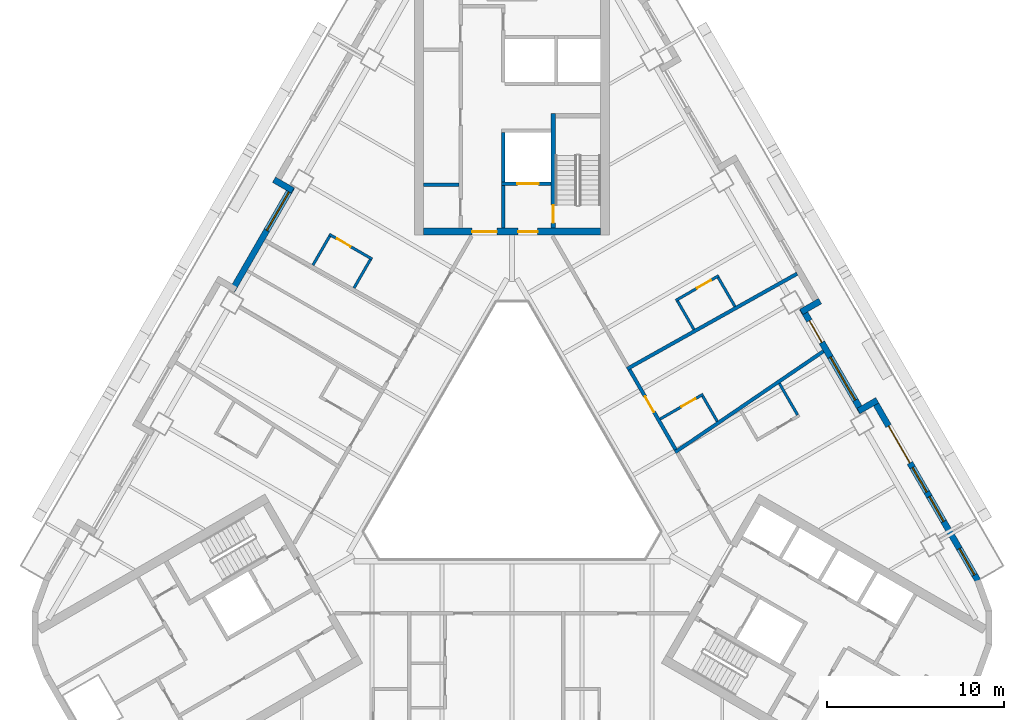
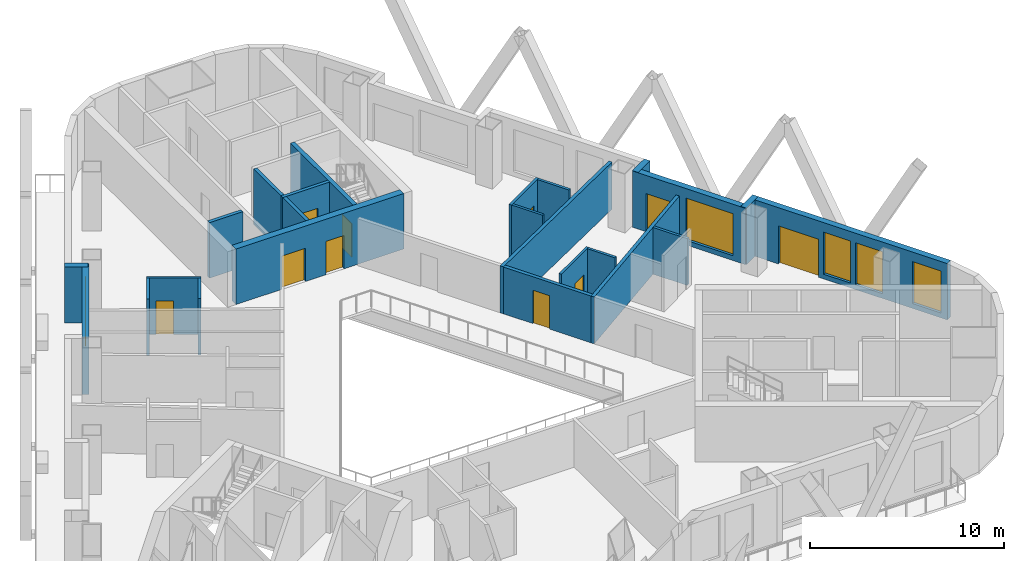
# One storey, part 6 of 14: 24 walls, 10 doors, 5 windows, 15 openings.
"""IFC4 building model written with IfcOpenShell, lengths in metres."""

from ifc_helpers import new_model, si_unit, direction, frame, frame_2d, origin, place, context, subcontext, project, spatial, rectangle, extrude, material, layer, layer_set, type_object, element, fill, save


model = new_model("IFC4")

# Units and contexts
model_context = context("Model", 3, precision=1e-05, world=origin(), true_north=direction((0.0, 1.0)))
body_context = subcontext(model_context, "Body", "Model", "MODEL_VIEW")
ifc_project = project(units=[si_unit("LENGTHUNIT", "METRE"), si_unit("AREAUNIT", "SQUARE_METRE"), si_unit("VOLUMEUNIT", "CUBIC_METRE"), si_unit("PLANEANGLEUNIT", "RADIAN"), si_unit("MASSUNIT", "GRAM", prefix="KILO")], contexts=[model_context])

# Site, building, storey
site_placement = place(None, origin())
site = spatial("IfcSite", under=ifc_project, at=site_placement, CompositionType="ELEMENT")
building_placement = place(site_placement, origin())
building = spatial("IfcBuilding", under=site, at=building_placement, Name="Apuvela Tower Hotel", CompositionType="ELEMENT")
storey_placement = place(building_placement, frame((0.0, 0.0, 53.89990234375)))
storey = spatial("IfcBuildingStorey", under=building, at=storey_placement, Name="L10", CompositionType="ELEMENT", Elevation=53.89990234375)

# Wall, openings, doors
ifc_material_1 = material(Name="Concrete C50/60", Category="concrete")
ifc_layer_1 = layer(ifc_material_1, 0.39990234375)
ifc_layer_set_1 = layer_set([ifc_layer_1], Name="COR-WALL-CORE-400")
wall_type_1 = type_object("IfcWallType", Name="COR-WALL-CORE-400", PredefinedType="SHEAR", material=ifc_layer_set_1)
wall_1_placement = place(storey_placement, frame((5.0, 13.10009765625, 0.0), z_axis=(0.0, 0.0, 1.0), x_axis=(-1.0, 0.0, 0.0)))
wall_1 = element("IfcWall", 1, at=wall_1_placement, inside=storey, type_object=wall_type_1, Name="Core wall N", PredefinedType="SHEAR", context=body_context, shape_type="SweptSolid", body=[
    extrude(rectangle(XDim=10.0, YDim=0.39990234375, at=frame_2d((5.0, 0.0))), origin(), (0.0, 0.0, 1.0), 3.5),
])
opening_1_placement = place(wall_1_placement, frame((3.550048828125, 0.0, 0.0)))
opening_1 = element("IfcOpeningElement", 2, at=opening_1_placement, cuts=wall_1, Name="Opening N-FD", PredefinedType="OPENING", context=body_context, shape_type="SweptSolid", body=[
    extrude(rectangle(XDim=1.10009765625, YDim=2.10009765625, at=frame_2d((0.550048828125, 1.050048828125))), frame((0.0, 0.2099609375, 0.0), z_axis=(0.0, -1.0, 0.0), x_axis=(1.0, 0.0, 0.0)), (0.0, 0.0, 1.0), 0.419921875),
])
opening_2_placement = place(wall_1_placement, frame((5.85009765625, 0.0, 0.0)))
opening_2 = element("IfcOpeningElement", 3, at=opening_2_placement, cuts=wall_1, Name="Opening N-GD", PredefinedType="OPENING", context=body_context, shape_type="SweptSolid", body=[
    extrude(rectangle(XDim=1.39990234375, YDim=2.10009765625, at=frame_2d((0.699951171875, 1.050048828125))), frame((0.0, 0.2099609375, 0.0), z_axis=(0.0, -1.0, 0.0), x_axis=(1.0, 0.0, 0.0)), (0.0, 0.0, 1.0), 0.419921875),
])
ifc_material_2 = material(Name="Steel fire door, powder coated", Category="steel")
door_type_1 = type_object("IfcDoorType", Name="COR-FD-1100", OperationType="NOTDEFINED", PredefinedType="DOOR", material=ifc_material_2)
door_1_placement = place(opening_1_placement, frame((1.10009765625, 0.0, 0.0), z_axis=(0.0, 0.0, 1.0), x_axis=(-1.0, 0.0, 0.0)))
door_1 = element("IfcDoor", 4, at=door_1_placement, inside=storey, type_object=door_type_1, Name="Firefighting lobby door N-FD", OperationType="SINGLE_SWING_LEFT", OverallHeight=2.10009765625, OverallWidth=1.10009765625, PredefinedType="DOOR", context=body_context, shape_type="SweptSolid", body=[
    extrude(rectangle(XDim=1.10009765625, YDim=2.10009765625, at=frame_2d((0.550048828125, 1.050048828125))), frame((0.0, 0.02490234375, 0.0), z_axis=(0.0, -1.0, 0.0), x_axis=(1.0, 0.0, 0.0)), (0.0, 0.0, 1.0), 0.050048828125),
])
fill(opening_1, door_1)
ifc_material_3 = material(Name="Glazed steel fire door", Category="steel")
door_type_2 = type_object("IfcDoorType", Name="COR-GD-1400", OperationType="DOUBLE_DOOR_SINGLE_SWING", PredefinedType="DOOR", material=ifc_material_3)
door_2_placement = place(opening_2_placement, frame((1.39990234375, 0.0, 0.0), z_axis=(0.0, 0.0, 1.0), x_axis=(-1.0, 0.0, 0.0)))
door_2 = element("IfcDoor", 5, at=door_2_placement, inside=storey, type_object=door_type_2, Name="Lift lobby door N-GD", OperationType="DOUBLE_DOOR_SINGLE_SWING", OverallHeight=2.10009765625, OverallWidth=1.39990234375, PredefinedType="DOOR", context=body_context, shape_type="SweptSolid", body=[
    extrude(rectangle(XDim=1.39990234375, YDim=2.10009765625, at=frame_2d((0.699951171875, 1.050048828125))), frame((0.0, 0.02490234375, 0.0), z_axis=(0.0, -1.0, 0.0), x_axis=(1.0, 0.0, 0.0)), (0.0, 0.0, 1.0), 0.050048828125),
])
fill(opening_2, door_2)

# Wall, opening, door
ifc_layer_2 = layer(ifc_material_1, 0.199951171875)
ifc_layer_set_2 = layer_set([ifc_layer_2], Name="COR-WALL-SHAFT-200")
wall_type_2 = type_object("IfcWallType", Name="COR-WALL-SHAFT-200", PredefinedType="SHEAR", material=ifc_layer_set_2)
wall_2_placement = place(storey_placement, frame((2.199951171875, 15.800048828125, 0.0), z_axis=(0.0, 0.0, 1.0), x_axis=(-1.0, 0.0, 0.0)))
wall_2 = element("IfcWall", 6, at=wall_2_placement, inside=storey, type_object=wall_type_2, Name="Shaft wall N", PredefinedType="SHEAR", context=body_context, shape_type="SweptSolid", body=[
    extrude(rectangle(XDim=2.800048828125, YDim=0.199951171875, at=frame_2d((1.39990234375, 0.0))), origin(), (0.0, 0.0, 1.0), 3.5),
])
opening_3_placement = place(wall_2_placement, frame((0.699951171875, 0.0, 0.0)))
opening_3 = element("IfcOpeningElement", 7, at=opening_3_placement, cuts=wall_2, Name="Opening N-LD-FS1", PredefinedType="OPENING", context=body_context, shape_type="SweptSolid", body=[
    extrude(rectangle(XDim=1.199951171875, YDim=2.10009765625, at=frame_2d((0.60009765625, 1.050048828125))), frame((0.0, 0.10986328125, 0.0), z_axis=(0.0, -1.0, 0.0), x_axis=(1.0, 0.0, 0.0)), (0.0, 0.0, 1.0), 0.219970703125),
])
ifc_material_4 = material(Name="Stainless steel lift landing door", Category="steel")
door_type_3 = type_object("IfcDoorType", Name="COR-LD-1200", OperationType="DOUBLE_DOOR_SLIDING", PredefinedType="DOOR", material=ifc_material_4)
door_3_placement = place(opening_3_placement, origin())
door_3 = element("IfcDoor", 8, at=door_3_placement, inside=storey, type_object=door_type_3, Name="Lift landing door N-LD-FS1", OperationType="DOUBLE_DOOR_SLIDING", OverallHeight=2.10009765625, OverallWidth=1.199951171875, PredefinedType="DOOR", context=body_context, shape_type="SweptSolid", body=[
    extrude(rectangle(XDim=1.199951171875, YDim=2.10009765625, at=frame_2d((0.60009765625, 1.050048828125))), frame((0.0, 0.02490234375, 0.0), z_axis=(0.0, -1.0, 0.0), x_axis=(1.0, 0.0, 0.0)), (0.0, 0.0, 1.0), 0.050048828125),
])
fill(opening_3, door_3)

# Walls
wall_3_placement = place(storey_placement, frame((-0.5, 15.89990234375, 0.0), z_axis=(0.0, 0.0, 1.0), x_axis=(0.0, 1.0, 0.0)))
element("IfcWall", 9, at=wall_3_placement, inside=storey, type_object=wall_type_2, Name="Shaft wall N", PredefinedType="SHEAR", context=body_context, shape_type="SweptSolid", body=[
    extrude(rectangle(XDim=2.800048828125, YDim=0.199951171875, at=frame_2d((1.39990234375, 0.0))), origin(), (0.0, 0.0, 1.0), 3.5),
])
wall_4_placement = place(storey_placement, frame((-0.5, 13.300048828125, 0.0), z_axis=(0.0, 0.0, 1.0), x_axis=(0.0, 1.0, 0.0)))
element("IfcWall", 10, at=wall_4_placement, inside=storey, type_object=wall_type_2, Name="Shaft wall N", PredefinedType="SHEAR", context=body_context, shape_type="SweptSolid", body=[
    extrude(rectangle(XDim=2.39990234375, YDim=0.199951171875, at=frame_2d((1.199951171875, 0.0))), origin(), (0.0, 0.0, 1.0), 3.5),
])
wall_5_placement = place(storey_placement, frame((-3.0, 15.739990234375, 0.0), z_axis=(0.0, 0.0, 1.0), x_axis=(-1.0, 0.0, 0.0)))
element("IfcWall", 11, at=wall_5_placement, inside=storey, type_object=wall_type_2, Name="Shaft wall N", PredefinedType="SHEAR", context=body_context, shape_type="SweptSolid", body=[
    extrude(rectangle(XDim=2.0, YDim=0.199951171875, at=frame_2d((1.0, 0.0))), origin(), (0.0, 0.0, 1.0), 3.5),
])

# Wall, opening, door
ifc_layer_3 = layer(ifc_material_1, 0.25)
ifc_layer_set_3 = layer_set([ifc_layer_3], Name="COR-WALL-STAIR-250")
wall_type_3 = type_object("IfcWallType", Name="COR-WALL-STAIR-250", PredefinedType="SHEAR", material=ifc_layer_set_3)
wall_6_placement = place(storey_placement, frame((2.324951171875, 13.300048828125, 0.0), z_axis=(0.0, 0.0, 1.0), x_axis=(0.0, 1.0, 0.0)))
wall_6 = element("IfcWall", 12, at=wall_6_placement, inside=storey, type_object=wall_type_3, Name="Stair wall N", PredefinedType="SHEAR", context=body_context, shape_type="SweptSolid", body=[
    extrude(rectangle(XDim=6.449951171875, YDim=0.25, at=frame_2d((3.22509765625, 0.0))), origin(), (0.0, 0.0, 1.0), 3.5),
])
opening_4_placement = place(wall_6_placement, frame((0.300048828125, 0.0, 0.0)))
opening_4 = element("IfcOpeningElement", 13, at=opening_4_placement, cuts=wall_6, Name="Opening N-SD", PredefinedType="OPENING", context=body_context, shape_type="SweptSolid", body=[
    extrude(rectangle(XDim=1.0, YDim=2.10009765625, at=frame_2d((0.5, 1.050048828125))), frame((0.0, 0.135009765625, 0.0), z_axis=(0.0, -1.0, 0.0), x_axis=(1.0, 0.0, 0.0)), (0.0, 0.0, 1.0), 0.27001953125),
])
door_type_4 = type_object("IfcDoorType", Name="COR-SD-1000", OperationType="NOTDEFINED", PredefinedType="DOOR", material=ifc_material_2)
door_4_placement = place(opening_4_placement, frame((1.0, 0.0, 0.0), z_axis=(0.0, 0.0, 1.0), x_axis=(-1.0, 0.0, 0.0)))
door_4 = element("IfcDoor", 14, at=door_4_placement, inside=storey, type_object=door_type_4, Name="Stair door N-SD", OperationType="SINGLE_SWING_LEFT", OverallHeight=2.10009765625, OverallWidth=1.0, PredefinedType="DOOR", context=body_context, shape_type="SweptSolid", body=[
    extrude(rectangle(XDim=1.0, YDim=2.10009765625, at=frame_2d((0.5, 1.050048828125))), frame((0.0, 0.02490234375, 0.0), z_axis=(0.0, -1.0, 0.0), x_axis=(1.0, 0.0, 0.0)), (0.0, 0.0, 1.0), 0.050048828125),
])
fill(opening_4, door_4)

# Wall
ifc_material_5 = material(Name="Concrete C40/50, dark pigmented precast panel", Category="concrete")
ifc_layer_4 = layer(ifc_material_5, 0.35009765625)
ifc_layer_set_4 = layer_set([ifc_layer_4], Name="ENV-WALL-350")
wall_type_4 = type_object("IfcWallType", Name="ENV-WALL-350", PredefinedType="SOLIDWALL", material=ifc_layer_set_4)
wall_7_placement = place(storey_placement, frame((-13.41259765625, 16.02880859375, 0.0), z_axis=(0.0, 0.0, 1.0), x_axis=(0.866005645448, -0.500034220881, 0.0)))
element("IfcWall", 15, at=wall_7_placement, inside=storey, type_object=wall_type_4, Name="External wall L10-02", PredefinedType="SOLIDWALL", context=body_context, shape_type="SweptSolid", body=[
    extrude(rectangle(XDim=1.22021484375, YDim=0.35009765625, at=frame_2d((0.610107421875, 0.0))), origin(), (0.0, 0.0, 1.0), 3.550048828125),
])

# Wall, opening, window
wall_8_placement = place(storey_placement, frame((-12.408935546875, 15.616943359375, 0.0), z_axis=(0.0, 0.0, 1.0), x_axis=(-0.500003597184, -0.866023326939, 0.0)))
wall_8 = element("IfcWall", 16, at=wall_8_placement, inside=storey, type_object=wall_type_4, Name="External wall L10-03", PredefinedType="SOLIDWALL", context=body_context, shape_type="SweptSolid", body=[
    extrude(rectangle(XDim=6.740234375, YDim=0.35009765625, at=frame_2d((3.3701171875, 0.0))), origin(), (0.0, 0.0, 1.0), 3.550048828125),
])
opening_5_placement = place(wall_8_placement, frame((0.3203125, 0.0, 0.300048828125)))
opening_5 = element("IfcOpeningElement", 17, at=opening_5_placement, cuts=wall_8, Name="Opening WN25", PredefinedType="OPENING", context=body_context, shape_type="SweptSolid", body=[
    extrude(rectangle(XDim=2.5, YDim=2.64990234375, at=frame_2d((1.25, 1.324951171875))), frame((0.0, 0.18505859375, 0.0), z_axis=(0.0, -1.0, 0.0), x_axis=(1.0, 0.0, 0.0)), (0.0, 0.0, 1.0), 0.3701171875),
])
ifc_material_6 = material(Name="Glass, dark tinted laminated insulated glazing unit", Category="glass")
window_type_1 = type_object("IfcWindowType", Name="ENV-WIN-2500x2650", PartitioningType="SINGLE_PANEL", PredefinedType="WINDOW", material=ifc_material_6)
window_1_placement = place(opening_5_placement, origin())
window_1 = element("IfcWindow", 18, at=window_1_placement, inside=storey, type_object=window_type_1, Name="Window WN25", OverallHeight=2.64990234375, OverallWidth=2.5, PartitioningType="SINGLE_PANEL", PredefinedType="WINDOW", context=body_context, shape_type="SweptSolid", body=[
    extrude(rectangle(XDim=2.5, YDim=2.64990234375, at=frame_2d((1.25, 1.324951171875))), frame((0.0, 0.030029296875, 0.0), z_axis=(0.0, -1.0, 0.0), x_axis=(1.0, 0.0, 0.0)), (0.0, 0.0, 1.0), 0.06005859375),
])
fill(opening_5, window_1)

# Wall, openings, door, windows
wall_9_placement = place(storey_placement, frame((26.256591796875, -6.5673828125, 0.0), z_axis=(0.0, 0.0, 1.0), x_axis=(-0.500023526245, 0.866011820475, 0.0)))
wall_9 = element("IfcWall", 19, at=wall_9_placement, inside=storey, type_object=wall_type_4, Name="External wall L10-33", PredefinedType="SOLIDWALL", context=body_context, shape_type="SweptSolid", body=[
    extrude(rectangle(XDim=11.81591796875, YDim=0.35009765625, at=frame_2d((5.907958984375, 0.0))), origin(), (0.0, 0.0, 1.0), 3.550048828125),
])
opening_6_placement = place(wall_9_placement, frame((0.380126953125, 0.0, 0.300048828125)))
opening_6 = element("IfcOpeningElement", 20, at=opening_6_placement, cuts=wall_9, Name="Opening WN17", PredefinedType="OPENING", context=body_context, shape_type="SweptSolid", body=[
    extrude(rectangle(XDim=1.699951171875, YDim=2.64990234375, at=frame_2d((0.85009765625, 1.324951171875))), frame((0.0, 0.18505859375, 0.0), z_axis=(0.0, -1.0, 0.0), x_axis=(1.0, 0.0, 0.0)), (0.0, 0.0, 1.0), 0.3701171875),
])
opening_7_placement = place(wall_9_placement, frame((7.666015625, 0.0, 0.0)))
opening_7 = element("IfcOpeningElement", 21, at=opening_7_placement, cuts=wall_9, Name="Opening BD24", PredefinedType="OPENING", context=body_context, shape_type="SweptSolid", body=[
    extrude(rectangle(XDim=2.39990234375, YDim=2.39990234375, at=frame_2d((1.199951171875, 1.199951171875))), frame((0.0, 0.18505859375, 0.0), z_axis=(0.0, -1.0, 0.0), x_axis=(1.0, 0.0, 0.0)), (0.0, 0.0, 1.0), 0.3701171875),
])
opening_8_placement = place(wall_9_placement, frame((3.865234375, 0.0, 0.300048828125)))
opening_8 = element("IfcOpeningElement", 22, at=opening_8_placement, cuts=wall_9, Name="Opening WN16", PredefinedType="OPENING", context=body_context, shape_type="SweptSolid", body=[
    extrude(rectangle(XDim=1.60009765625, YDim=2.64990234375, at=frame_2d((0.800048828125, 1.324951171875))), frame((0.0, 0.18505859375, 0.0), z_axis=(0.0, -1.0, 0.0), x_axis=(1.0, 0.0, 0.0)), (0.0, 0.0, 1.0), 0.3701171875),
])
opening_9_placement = place(wall_9_placement, frame((5.765380859375, 0.0, 0.300048828125)))
opening_9 = element("IfcOpeningElement", 23, at=opening_9_placement, cuts=wall_9, Name="Opening WN16", PredefinedType="OPENING", context=body_context, shape_type="SweptSolid", body=[
    extrude(rectangle(XDim=1.60009765625, YDim=2.64990234375, at=frame_2d((0.800048828125, 1.324951171875))), frame((0.0, 0.18505859375, 0.0), z_axis=(0.0, -1.0, 0.0), x_axis=(1.0, 0.0, 0.0)), (0.0, 0.0, 1.0), 0.3701171875),
])
ifc_material_7 = material(Name="Aluminium 6063-T6, dark bronze anodised frame with dark tinted laminated glass", Category="aluminium")
door_type_5 = type_object("IfcDoorType", Name="ENV-DOOR-BALCONY-2400x2400", OperationType="SLIDING_TO_LEFT", PredefinedType="DOOR", material=ifc_material_7)
door_5_placement = place(opening_7_placement, frame((2.39990234375, 0.0, 0.0), z_axis=(0.0, 0.0, 1.0), x_axis=(-1.0, 0.0, 0.0)))
door_5 = element("IfcDoor", 24, at=door_5_placement, inside=storey, type_object=door_type_5, Name="Balcony door BD24", OperationType="SLIDING_TO_LEFT", OverallHeight=2.39990234375, OverallWidth=2.39990234375, PredefinedType="DOOR", context=body_context, shape_type="SweptSolid", body=[
    extrude(rectangle(XDim=2.39990234375, YDim=2.39990234375, at=frame_2d((1.199951171875, 1.199951171875))), frame((0.0, 0.02490234375, 0.0), z_axis=(0.0, -1.0, 0.0), x_axis=(1.0, 0.0, 0.0)), (0.0, 0.0, 1.0), 0.050048828125),
])
fill(opening_7, door_5)
window_type_2 = type_object("IfcWindowType", Name="ENV-WIN-1600x2650", PartitioningType="SINGLE_PANEL", PredefinedType="WINDOW", material=ifc_material_6)
window_2_placement = place(opening_8_placement, origin())
window_2 = element("IfcWindow", 25, at=window_2_placement, inside=storey, type_object=window_type_2, Name="Window WN16", OverallHeight=2.64990234375, OverallWidth=1.60009765625, PartitioningType="SINGLE_PANEL", PredefinedType="WINDOW", context=body_context, shape_type="SweptSolid", body=[
    extrude(rectangle(XDim=1.60009765625, YDim=2.64990234375, at=frame_2d((0.800048828125, 1.324951171875))), frame((0.0, 0.030029296875, 0.0), z_axis=(0.0, -1.0, 0.0), x_axis=(1.0, 0.0, 0.0)), (0.0, 0.0, 1.0), 0.06005859375),
])
fill(opening_8, window_2)
window_3_placement = place(opening_9_placement, origin())
window_3 = element("IfcWindow", 26, at=window_3_placement, inside=storey, type_object=window_type_2, Name="Window WN16", OverallHeight=2.64990234375, OverallWidth=1.60009765625, PartitioningType="SINGLE_PANEL", PredefinedType="WINDOW", context=body_context, shape_type="SweptSolid", body=[
    extrude(rectangle(XDim=1.60009765625, YDim=2.64990234375, at=frame_2d((0.800048828125, 1.324951171875))), frame((0.0, 0.030029296875, 0.0), z_axis=(0.0, -1.0, 0.0), x_axis=(1.0, 0.0, 0.0)), (0.0, 0.0, 1.0), 0.06005859375),
])
fill(opening_9, window_3)
window_type_3 = type_object("IfcWindowType", Name="ENV-WIN-1700x2650", PartitioningType="SINGLE_PANEL", PredefinedType="WINDOW", material=ifc_material_6)
window_4_placement = place(opening_6_placement, origin())
window_4 = element("IfcWindow", 27, at=window_4_placement, inside=storey, type_object=window_type_3, Name="Window WN17", OverallHeight=2.64990234375, OverallWidth=1.699951171875, PartitioningType="SINGLE_PANEL", PredefinedType="WINDOW", context=body_context, shape_type="SweptSolid", body=[
    extrude(rectangle(XDim=1.699951171875, YDim=2.64990234375, at=frame_2d((0.85009765625, 1.324951171875))), frame((0.0, 0.030029296875, 0.0), z_axis=(0.0, -1.0, 0.0), x_axis=(1.0, 0.0, 0.0)), (0.0, 0.0, 1.0), 0.06005859375),
])
fill(opening_6, window_4)

# Wall
wall_10_placement = place(storey_placement, frame((20.587646484375, 3.601318359375, 0.0), z_axis=(0.0, 0.0, 1.0), x_axis=(-0.866005645448, -0.500034220881, 0.0)))
element("IfcWall", 28, at=wall_10_placement, inside=storey, type_object=wall_type_4, Name="External wall L10-34", PredefinedType="SOLIDWALL", context=body_context, shape_type="SweptSolid", body=[
    extrude(rectangle(XDim=1.22021484375, YDim=0.35009765625, at=frame_2d((0.610107421875, 0.0))), origin(), (0.0, 0.0, 1.0), 3.550048828125),
])

# Wall, openings, door, window
wall_11_placement = place(storey_placement, frame((19.72900390625, 2.93798828125, 0.0), z_axis=(0.0, 0.0, 1.0), x_axis=(-0.499976430342, 0.866039011305, 0.0)))
wall_11 = element("IfcWall", 29, at=wall_11_placement, inside=storey, type_object=wall_type_4, Name="External wall L10-35", PredefinedType="SOLIDWALL", context=body_context, shape_type="SweptSolid", body=[
    extrude(rectangle(XDim=6.739990234375, YDim=0.35009765625, at=frame_2d((3.3701171875, 0.0))), origin(), (0.0, 0.0, 1.0), 3.550048828125),
])
opening_10_placement = place(wall_11_placement, frame((0.77001953125, 0.0, 0.300048828125)))
opening_10 = element("IfcOpeningElement", 30, at=opening_10_placement, cuts=wall_11, Name="Opening WN28", PredefinedType="OPENING", context=body_context, shape_type="SweptSolid", body=[
    extrude(rectangle(XDim=2.800048828125, YDim=2.64990234375, at=frame_2d((1.39990234375, 1.324951171875))), frame((0.0, 0.18505859375, 0.0), z_axis=(0.0, -1.0, 0.0), x_axis=(1.0, 0.0, 0.0)), (0.0, 0.0, 1.0), 0.3701171875),
])
opening_11_placement = place(wall_11_placement, frame((4.536376953125, 0.0, 0.0)))
opening_11 = element("IfcOpeningElement", 31, at=opening_11_placement, cuts=wall_11, Name="Opening BD14", PredefinedType="OPENING", context=body_context, shape_type="SweptSolid", body=[
    extrude(rectangle(XDim=1.39990234375, YDim=2.39990234375, at=frame_2d((0.699951171875, 1.199951171875))), frame((0.0, 0.18505859375, 0.0), z_axis=(0.0, -1.0, 0.0), x_axis=(1.0, 0.0, 0.0)), (0.0, 0.0, 1.0), 0.3701171875),
])
door_type_6 = type_object("IfcDoorType", Name="ENV-DOOR-BALCONY-1400x2400", OperationType="SLIDING_TO_LEFT", PredefinedType="DOOR", material=ifc_material_7)
door_6_placement = place(opening_11_placement, frame((1.39990234375, 0.0, 0.0), z_axis=(0.0, 0.0, 1.0), x_axis=(-1.0, 0.0, 0.0)))
door_6 = element("IfcDoor", 32, at=door_6_placement, inside=storey, type_object=door_type_6, Name="Balcony door BD14", OperationType="SLIDING_TO_LEFT", OverallHeight=2.39990234375, OverallWidth=1.39990234375, PredefinedType="DOOR", context=body_context, shape_type="SweptSolid", body=[
    extrude(rectangle(XDim=1.39990234375, YDim=2.39990234375, at=frame_2d((0.699951171875, 1.199951171875))), frame((0.0, 0.02490234375, 0.0), z_axis=(0.0, -1.0, 0.0), x_axis=(1.0, 0.0, 0.0)), (0.0, 0.0, 1.0), 0.050048828125),
])
fill(opening_11, door_6)
window_type_4 = type_object("IfcWindowType", Name="ENV-WIN-2800x2650", PartitioningType="SINGLE_PANEL", PredefinedType="WINDOW", material=ifc_material_6)
window_5_placement = place(opening_10_placement, origin())
window_5 = element("IfcWindow", 33, at=window_5_placement, inside=storey, type_object=window_type_4, Name="Window WN28", OverallHeight=2.64990234375, OverallWidth=2.800048828125, PartitioningType="SINGLE_PANEL", PredefinedType="WINDOW", context=body_context, shape_type="SweptSolid", body=[
    extrude(rectangle(XDim=2.800048828125, YDim=2.64990234375, at=frame_2d((1.39990234375, 1.324951171875))), frame((0.0, 0.030029296875, 0.0), z_axis=(0.0, -1.0, 0.0), x_axis=(1.0, 0.0, 0.0)), (0.0, 0.0, 1.0), 0.06005859375),
])
fill(opening_10, window_5)

# Walls
wall_12_placement = place(storey_placement, frame((16.305908203125, 8.5771484375, 0.0), z_axis=(0.0, 0.0, 1.0), x_axis=(0.866092288191, 0.499884134912, 0.0)))
element("IfcWall", 34, at=wall_12_placement, inside=storey, type_object=wall_type_4, Name="External wall L10-36", PredefinedType="SOLIDWALL", context=body_context, shape_type="SweptSolid", body=[
    extrude(rectangle(XDim=1.219970703125, YDim=0.35009765625, at=frame_2d((0.60986328125, 0.0))), origin(), (0.0, 0.0, 1.0), 3.550048828125),
])
ifc_material_8 = material(Name="Gypsum board partition on twin steel stud", Category="steel")
ifc_layer_5 = layer(ifc_material_8, 0.199951171875)
ifc_layer_set_5 = layer_set([ifc_layer_5], Name="GST-PW1")
wall_type_5 = type_object("IfcWallType", Name="GST-PW1", PredefinedType="PARTITIONING", material=ifc_layer_set_5)
wall_13_placement = place(storey_placement, frame((17.551025390625, 6.36083984375, 0.0), z_axis=(0.0, 0.0, 1.0), x_axis=(-0.826656859261, -0.562706350627, 0.0)))
element("IfcWall", 35, at=wall_13_placement, inside=storey, type_object=wall_type_5, Name="L10 partition 03", PredefinedType="PARTITIONING", context=body_context, shape_type="SweptSolid", body=[
    extrude(rectangle(XDim=10.10791015625, YDim=0.199951171875, at=frame_2d((5.053955078125, 0.0))), origin(), (0.0, 0.0, 1.0), 2.9501953125),
])
wall_14_placement = place(storey_placement, frame((16.06689453125, 10.731201171875, 0.0), z_axis=(0.0, 0.0, 1.0), x_axis=(-0.872443451626, -0.488715074164, 0.0)))
element("IfcWall", 36, at=wall_14_placement, inside=storey, type_object=wall_type_5, Name="L10 partition 04", PredefinedType="PARTITIONING", context=body_context, shape_type="SweptSolid", body=[
    extrude(rectangle(XDim=10.980712890625, YDim=0.199951171875, at=frame_2d((5.490234375, 0.0))), origin(), (0.0, 0.0, 1.0), 2.960205078125),
])

# Wall, opening, door
ifc_material_9 = material(Name="Gypsum board corridor wall on twin steel stud, acoustic", Category="steel")
ifc_layer_6 = layer(ifc_material_9, 0.199951171875)
ifc_layer_set_6 = layer_set([ifc_layer_6], Name="GST-PW2")
wall_type_6 = type_object("IfcWallType", Name="GST-PW2", PredefinedType="PARTITIONING", material=ifc_layer_set_6)
wall_15_placement = place(storey_placement, frame((6.6240234375, 5.326904296875, 0.0), z_axis=(0.0, 0.0, 1.0), x_axis=(0.500015953014, -0.866016193112, 0.0)))
wall_15 = element("IfcWall", 37, at=wall_15_placement, inside=storey, type_object=wall_type_6, Name="L10 partition 25", PredefinedType="PARTITIONING", context=body_context, shape_type="SweptSolid", body=[
    extrude(rectangle(XDim=5.208251953125, YDim=0.199951171875, at=frame_2d((2.60400390625, 0.0))), origin(), (0.0, 0.0, 1.0), 2.9501953125),
])
opening_12_placement = place(wall_15_placement, frame((1.7509765625, 0.0, 0.0)))
opening_12 = element("IfcOpeningElement", 38, at=opening_12_placement, cuts=wall_15, Name="Opening GD02-11", PredefinedType="OPENING", context=body_context, shape_type="SweptSolid", body=[
    extrude(rectangle(XDim=1.0, YDim=2.10009765625, at=frame_2d((0.5, 1.050048828125))), frame((0.0, 0.10986328125, 0.0), z_axis=(0.0, -1.0, 0.0), x_axis=(1.0, 0.0, 0.0)), (0.0, 0.0, 1.0), 0.219970703125),
])
ifc_material_10 = material(Name="Timber door leaf in steel frame", Category="steel")
door_type_7 = type_object("IfcDoorType", Name="GST-D1", OperationType="NOTDEFINED", PredefinedType="DOOR", material=ifc_material_10)
door_7_placement = place(opening_12_placement, origin())
door_7 = element("IfcDoor", 39, at=door_7_placement, inside=storey, type_object=door_type_7, Name="Door L10-11", OperationType="SINGLE_SWING_LEFT", OverallHeight=2.10009765625, OverallWidth=1.0, PredefinedType="DOOR", context=body_context, shape_type="SweptSolid", body=[
    extrude(rectangle(XDim=1.0, YDim=2.10009765625, at=frame_2d((0.5, 1.050048828125))), frame((0.0, 0.02490234375, 0.0), z_axis=(0.0, -1.0, 0.0), x_axis=(1.0, 0.0, 0.0)), (0.0, 0.0, 1.0), 0.050048828125),
])
fill(opening_12, door_7)

# Wall
ifc_material_11 = material(Name="Moisture-resistant gypsum board wet wall on steel stud", Category="steel")
ifc_layer_7 = layer(ifc_material_11, 0.14990234375)
ifc_layer_set_7 = layer_set([ifc_layer_7], Name="GST-PW3")
wall_type_7 = type_object("IfcWallType", Name="GST-PW3", PredefinedType="PARTITIONING", material=ifc_layer_set_7)
wall_16_placement = place(storey_placement, frame((16.0947265625, 2.77294921875, 0.0), z_axis=(0.0, 0.0, 1.0), x_axis=(-0.499990189338, 0.866031067899, 0.0)))
element("IfcWall", 40, at=wall_16_placement, inside=storey, type_object=wall_type_7, Name="L10 partition 23", PredefinedType="PARTITIONING", context=body_context, shape_type="SweptSolid", body=[
    extrude(rectangle(XDim=2.05224609375, YDim=0.14990234375, at=frame_2d((1.026123046875, 0.0))), origin(), (0.0, 0.0, 1.0), 2.9501953125),
])

# Wall, opening, door
wall_17_placement = place(storey_placement, frame((10.7734375, 3.939697265625, 0.0), z_axis=(0.0, 0.0, 1.0), x_axis=(-0.866034573852, -0.49998411664, 0.0)))
wall_17 = element("IfcWall", 41, at=wall_17_placement, inside=storey, type_object=wall_type_7, Name="L10 partition 26", PredefinedType="PARTITIONING", context=body_context, shape_type="SweptSolid", body=[
    extrude(rectangle(XDim=2.7998046875, YDim=0.14990234375, at=frame_2d((1.39990234375, 0.0))), origin(), (0.0, 0.0, 1.0), 3.550048828125),
])
opening_13_placement = place(wall_17_placement, frame((0.5, 0.0, 0.0)))
opening_13 = element("IfcOpeningElement", 42, at=opening_13_placement, cuts=wall_17, Name="Opening GD02-10", PredefinedType="OPENING", context=body_context, shape_type="SweptSolid", body=[
    extrude(rectangle(XDim=0.89990234375, YDim=2.10009765625, at=frame_2d((0.449951171875, 1.050048828125))), frame((0.0, 0.0849609375, 0.0), z_axis=(0.0, -1.0, 0.0), x_axis=(1.0, 0.0, 0.0)), (0.0, 0.0, 1.0), 0.169921875),
])
door_type_8 = type_object("IfcDoorType", Name="GST-D2", OperationType="NOTDEFINED", PredefinedType="DOOR", material=ifc_material_10)
door_8_placement = place(opening_13_placement, origin())
door_8 = element("IfcDoor", 43, at=door_8_placement, inside=storey, type_object=door_type_8, Name="Door L10-10", OperationType="SINGLE_SWING_LEFT", OverallHeight=2.10009765625, OverallWidth=0.89990234375, PredefinedType="DOOR", context=body_context, shape_type="SweptSolid", body=[
    extrude(rectangle(XDim=0.89990234375, YDim=2.10009765625, at=frame_2d((0.449951171875, 1.050048828125))), frame((0.0, 0.02490234375, 0.0), z_axis=(0.0, -1.0, 0.0), x_axis=(1.0, 0.0, 0.0)), (0.0, 0.0, 1.0), 0.050048828125),
])
fill(opening_13, door_8)

# Wall
wall_18_placement = place(storey_placement, frame((11.56982421875, 2.410400390625, 0.0), z_axis=(0.0, 0.0, 1.0), x_axis=(-0.499931951619, 0.866064687971, 0.0)))
element("IfcWall", 44, at=wall_18_placement, inside=storey, type_object=wall_type_7, Name="L10 partition 27", PredefinedType="PARTITIONING", context=body_context, shape_type="SweptSolid", body=[
    extrude(rectangle(XDim=1.647705078125, YDim=0.14990234375, at=frame_2d((0.82373046875, 0.0))), origin(), (0.0, 0.0, 1.0), 3.550048828125),
])

# Wall, opening, door
wall_19_placement = place(storey_placement, frame((11.65087890625, 10.6201171875, 0.0), z_axis=(0.0, 0.0, 1.0), x_axis=(-0.865996816683, -0.500049511043, 0.0)))
wall_19 = element("IfcWall", 45, at=wall_19_placement, inside=storey, type_object=wall_type_7, Name="L10 partition 29", PredefinedType="PARTITIONING", context=body_context, shape_type="SweptSolid", body=[
    extrude(rectangle(XDim=2.800048828125, YDim=0.14990234375, at=frame_2d((1.39990234375, 0.0))), origin(), (0.0, 0.0, 1.0), 3.550048828125),
])
opening_14_placement = place(wall_19_placement, frame((0.5, 0.0, 0.0)))
opening_14 = element("IfcOpeningElement", 46, at=opening_14_placement, cuts=wall_19, Name="Opening GD02-12", PredefinedType="OPENING", context=body_context, shape_type="SweptSolid", body=[
    extrude(rectangle(XDim=0.89990234375, YDim=2.10009765625, at=frame_2d((0.449951171875, 1.050048828125))), frame((0.0, 0.0849609375, 0.0), z_axis=(0.0, -1.0, 0.0), x_axis=(1.0, 0.0, 0.0)), (0.0, 0.0, 1.0), 0.169921875),
])
door_9_placement = place(opening_14_placement, origin())
door_9 = element("IfcDoor", 47, at=door_9_placement, inside=storey, type_object=door_type_8, Name="Door L10-12", OperationType="SINGLE_SWING_LEFT", OverallHeight=2.10009765625, OverallWidth=0.89990234375, PredefinedType="DOOR", context=body_context, shape_type="SweptSolid", body=[
    extrude(rectangle(XDim=0.89990234375, YDim=2.10009765625, at=frame_2d((0.449951171875, 1.050048828125))), frame((0.0, 0.02490234375, 0.0), z_axis=(0.0, -1.0, 0.0), x_axis=(1.0, 0.0, 0.0)), (0.0, 0.0, 1.0), 0.050048828125),
])
fill(opening_14, door_9)

# Walls
wall_20_placement = place(storey_placement, frame((12.566162109375, 8.884765625, 0.0), z_axis=(0.0, 0.0, 1.0), x_axis=(-0.499969057507, 0.866043267704, 0.0)))
element("IfcWall", 48, at=wall_20_placement, inside=storey, type_object=wall_type_7, Name="L10 partition 30", PredefinedType="PARTITIONING", context=body_context, shape_type="SweptSolid", body=[
    extrude(rectangle(XDim=1.88525390625, YDim=0.14990234375, at=frame_2d((0.942626953125, 0.0))), origin(), (0.0, 0.0, 1.0), 3.550048828125),
])
wall_21_placement = place(storey_placement, frame((10.25390625, 7.589599609375, 0.0), z_axis=(0.0, 0.0, 1.0), x_axis=(-0.499912756669, 0.866075767886, 0.0)))
element("IfcWall", 49, at=wall_21_placement, inside=storey, type_object=wall_type_7, Name="L10 partition 31", PredefinedType="PARTITIONING", context=body_context, shape_type="SweptSolid", body=[
    extrude(rectangle(XDim=1.850830078125, YDim=0.14990234375, at=frame_2d((0.92529296875, 0.0))), origin(), (0.0, 0.0, 1.0), 3.550048828125),
])

# Wall, opening, door
wall_22_placement = place(storey_placement, frame((-7.8779296875, 11.554931640625, 0.0), z_axis=(0.0, 0.0, 1.0), x_axis=(-0.865996816683, 0.500049511043, 0.0)))
wall_22 = element("IfcWall", 50, at=wall_22_placement, inside=storey, type_object=wall_type_7, Name="L10 partition 33", PredefinedType="PARTITIONING", context=body_context, shape_type="SweptSolid", body=[
    extrude(rectangle(XDim=2.800048828125, YDim=0.14990234375, at=frame_2d((1.39990234375, 0.0))), origin(), (0.0, 0.0, 1.0), 3.550048828125),
])
opening_15_placement = place(wall_22_placement, frame((1.39990234375, 0.0, 0.0)))
opening_15 = element("IfcOpeningElement", 51, at=opening_15_placement, cuts=wall_22, Name="Opening GD02-14", PredefinedType="OPENING", context=body_context, shape_type="SweptSolid", body=[
    extrude(rectangle(XDim=0.89990234375, YDim=2.10009765625, at=frame_2d((0.449951171875, 1.050048828125))), frame((0.0, 0.0849609375, 0.0), z_axis=(0.0, -1.0, 0.0), x_axis=(1.0, 0.0, 0.0)), (0.0, 0.0, 1.0), 0.169921875),
])
door_10_placement = place(opening_15_placement, origin())
door_10 = element("IfcDoor", 52, at=door_10_placement, inside=storey, type_object=door_type_8, Name="Door L10-14", OperationType="SINGLE_SWING_RIGHT", OverallHeight=2.10009765625, OverallWidth=0.89990234375, PredefinedType="DOOR", context=body_context, shape_type="SweptSolid", body=[
    extrude(rectangle(XDim=0.89990234375, YDim=2.10009765625, at=frame_2d((0.449951171875, 1.050048828125))), frame((0.0, 0.02490234375, 0.0), z_axis=(0.0, -1.0, 0.0), x_axis=(1.0, 0.0, 0.0)), (0.0, 0.0, 1.0), 0.050048828125),
])
fill(opening_15, door_10)

# Walls
wall_23_placement = place(storey_placement, frame((-10.275390625, 12.8525390625, 0.0), z_axis=(0.0, 0.0, 1.0), x_axis=(-0.499950073403, -0.866054227, 0.0)))
element("IfcWall", 53, at=wall_23_placement, inside=storey, type_object=wall_type_7, Name="L10 partition 34", PredefinedType="PARTITIONING", context=body_context, shape_type="SweptSolid", body=[
    extrude(rectangle(XDim=1.887939453125, YDim=0.14990234375, at=frame_2d((0.94384765625, 0.0))), origin(), (0.0, 0.0, 1.0), 3.550048828125),
])
wall_24_placement = place(storey_placement, frame((-7.98046875, 11.527587890625, 0.0), z_axis=(0.0, 0.0, 1.0), x_axis=(-0.500011685716, -0.866018656928, 0.0)))
element("IfcWall", 54, at=wall_24_placement, inside=storey, type_object=wall_type_7, Name="L10 partition 35", PredefinedType="PARTITIONING", context=body_context, shape_type="SweptSolid", body=[
    extrude(rectangle(XDim=1.85107421875, YDim=0.14990234375, at=frame_2d((0.925537109375, 0.0))), origin(), (0.0, 0.0, 1.0), 3.550048828125),
])

save(model, "model.ifc")
